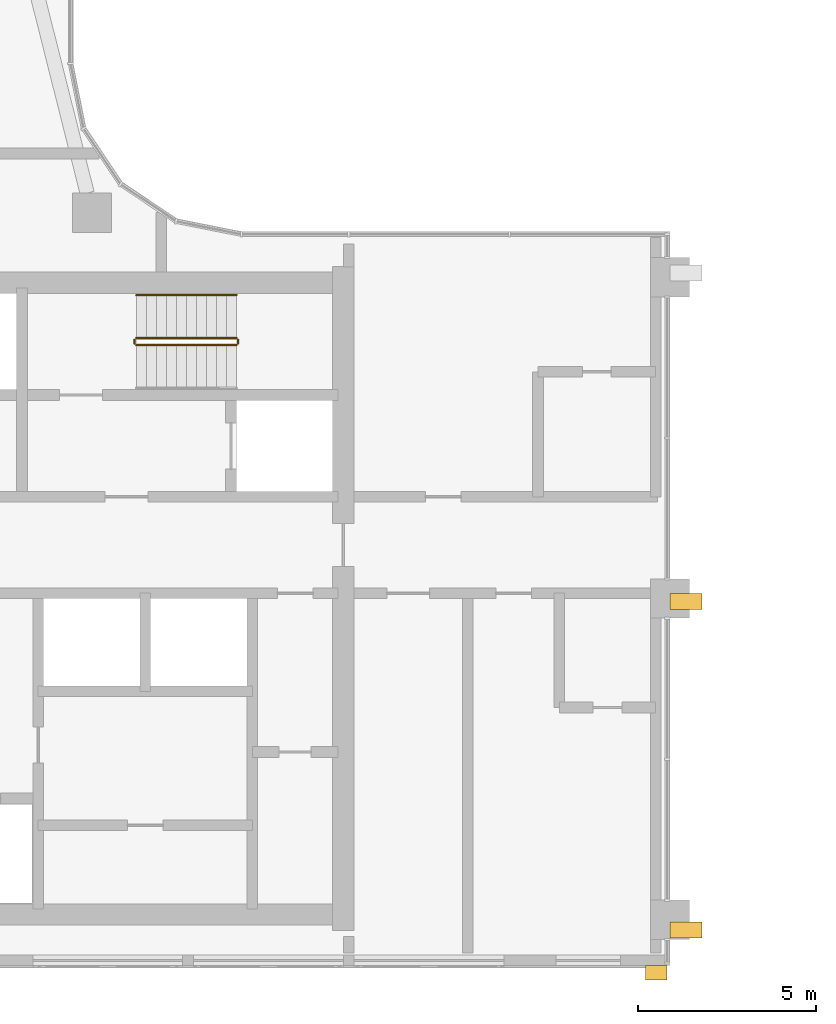
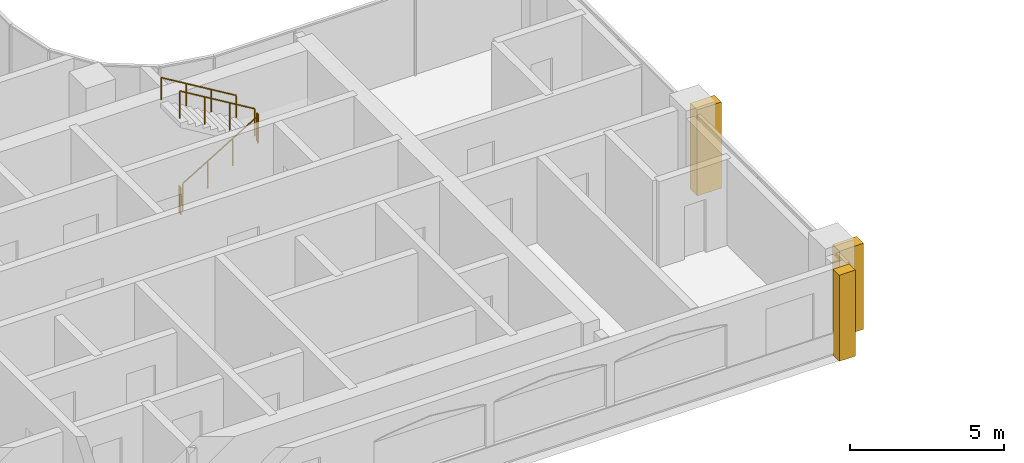
# One storey, part 20 of 23: 5 railings, 3 coverings.
"""IFC4 building model written with IfcOpenShell, lengths in metres."""

import ifcopenshell
import ifcopenshell.guid

model = None  # the IFC model being written
_history = None  # IfcOwnerHistory: only IFC2X3 demands one
_inside = {}  # id of a spatial element -> (the spatial element, [elements in it])
_under = {}  # id of a project, library or spatial element -> (it, [spatial elements below it])
_declared = {}  # id of a project -> (the project, [libraries it declares])
_typed = {}  # id of a type object -> (the type object, [elements of that type])
_made_of = {}  # id of a material, layer set ... -> (it, [elements and type objects made of it])


def new_model(schema):
    """Start an empty IFC model of exactly this schema.

    Asked for "IFC4X3", IfcOpenShell would pick the latest addendum, in which some entities
    have other attributes; the version numbers below select the first issue.
    IFC2X3 requires an IfcOwnerHistory on every rooted entity: one is made here for all.
    """
    global model, _history
    if schema == "IFC4X3":
        model = ifcopenshell.file(schema_version=(4, 3, 0, 0))
    else:
        model = ifcopenshell.file(schema=schema)
    _inside.clear()
    _under.clear()
    _declared.clear()
    _typed.clear()
    _made_of.clear()
    _history = None
    if model.schema == "IFC2X3":
        org = make("IfcOrganization", Name="unknown")
        user = make(
            "IfcPersonAndOrganization",
            ThePerson=make("IfcPerson", FamilyName="unknown"),
            TheOrganization=org,
        )
        app = make(
            "IfcApplication",
            ApplicationDeveloper=org,
            Version="unknown",
            ApplicationFullName="unknown",
            ApplicationIdentifier="unknown",
        )
        _history = make(
            "IfcOwnerHistory",
            OwningUser=user,
            OwningApplication=app,
            ChangeAction="ADDED",
            CreationDate=0,
        )
    return model


def make(cls, **values):
    """One entity of the class cls with the attributes given. An attribute that is None is left unset."""
    return model.create_entity(
        cls, **{name: value for name, value in values.items() if value is not None}
    )


def rooted(cls, **values):
    """An entity with a GlobalId (a new one), such as an element, a storey or a relation."""
    return make(cls, GlobalId=ifcopenshell.guid.new(), OwnerHistory=_history, **values)


def si_unit(unit_type, name, prefix=None):
    """IfcSIUnit, for example si_unit("LENGTHUNIT", "METRE", prefix="MILLI")."""
    return make("IfcSIUnit", UnitType=unit_type, Prefix=prefix, Name=name)


def assignment(units):
    """IfcUnitAssignment: the units of a project."""
    return None if units is None else make("IfcUnitAssignment", Units=units)


def point(xyz):
    """IfcCartesianPoint."""
    return None if xyz is None else make("IfcCartesianPoint", Coordinates=xyz)


def direction(xyz):
    """IfcDirection."""
    return None if xyz is None else make("IfcDirection", DirectionRatios=xyz)


def frame(location, z_axis=None, x_axis=None):
    """IfcAxis2Placement3D, a coordinate frame: its origin and axes. An axis left out is left unset."""
    return make(
        "IfcAxis2Placement3D",
        Location=point(location),
        Axis=direction(z_axis),
        RefDirection=direction(x_axis),
    )


def frame_2d(location, x_axis=None):
    """IfcAxis2Placement2D, a coordinate frame in the plane: its origin and x axis."""
    return make(
        "IfcAxis2Placement2D", Location=point(location), RefDirection=direction(x_axis)
    )


def origin():
    """The frame at (0, 0, 0) with its axes left unset."""
    return frame((0.0, 0.0, 0.0))


def origin_2d():
    """The frame at (0, 0) in the plane with its x axis left unset."""
    return frame_2d((0.0, 0.0))


def place(relative_to, where):
    """IfcLocalPlacement: puts the frame where relative to a parent placement (None: the world)."""
    return make(
        "IfcLocalPlacement", PlacementRelTo=relative_to, RelativePlacement=where
    )


def context(
    kind, dimensions, precision=None, world=None, true_north=None, identifier=None
):
    """IfcGeometricRepresentationContext, for example the 3D "Model" context."""
    return make(
        "IfcGeometricRepresentationContext",
        ContextIdentifier=identifier,
        ContextType=kind,
        CoordinateSpaceDimension=dimensions,
        Precision=precision,
        WorldCoordinateSystem=world,
        TrueNorth=true_north,
    )


def subcontext(parent, identifier, kind, view, scale=None):
    """IfcGeometricRepresentationSubContext, for example "Body" below "Model"."""
    return make(
        "IfcGeometricRepresentationSubContext",
        ContextIdentifier=identifier,
        ContextType=kind,
        ParentContext=parent,
        TargetScale=scale,
        TargetView=view,
    )


def project(units=None, contexts=None):
    """IfcProject with its units and contexts."""
    return rooted(
        "IfcProject",
        Name="project",
        RepresentationContexts=contexts,
        UnitsInContext=assignment(units),
    )


def spatial(cls, under=None, at=None, **own):
    """A site, building, storey or space (cls), placed at a placement, below another one or the project."""
    s = rooted(cls, ObjectPlacement=at, **own)
    if under is not None:
        _under.setdefault(under.id(), (under, []))[1].append(s)
    return s


def profile(cls, at=None, kind="AREA", **sizes):
    """A parametric profile (cls). Its sizes go by their IFC names, for example OverallWidth=200.0."""
    return make(cls, ProfileType=kind, Position=at, **sizes)


def rectangle(**sizes):
    """IfcRectangleProfileDef."""
    return profile("IfcRectangleProfileDef", **sizes)


def circle(**sizes):
    """IfcCircleProfileDef."""
    return profile("IfcCircleProfileDef", **sizes)


def extrude(swept, where, along, depth):
    """IfcExtrudedAreaSolid: the profile swept, set in the frame where, extruded along a direction by depth."""
    return make(
        "IfcExtrudedAreaSolid",
        SweptArea=swept,
        Position=where,
        ExtrudedDirection=direction(along),
        Depth=depth,
    )


def shape(context_of_items, identifier, shape_type, items):
    """IfcShapeRepresentation: the items that make up one representation, for example the "Body"."""
    return make(
        "IfcShapeRepresentation",
        ContextOfItems=context_of_items,
        RepresentationIdentifier=identifier,
        RepresentationType=shape_type,
        Items=items,
    )


def material(Name=None, Category=None):
    """IfcMaterial."""
    return make("IfcMaterial", Name=Name, Category=Category)


def layer(
    of_material, thickness, ventilated=None, Name=None, Category=None, Priority=None
):
    """IfcMaterialLayer: one layer of a wall or slab, of a material (None: an air gap)."""
    return make(
        "IfcMaterialLayer",
        Material=of_material,
        LayerThickness=thickness,
        IsVentilated=ventilated,
        Name=Name,
        Category=Category,
        Priority=Priority,
    )


def layer_set(layers, Name=None):
    """IfcMaterialLayerSet."""
    return make("IfcMaterialLayerSet", MaterialLayers=layers, LayerSetName=Name)


def made_of(thing, what):
    """Note that an element or type object is made of a material, layer set ...; save() writes the relation."""
    if what is not None:
        _made_of.setdefault(what.id(), (what, []))[1].append(thing)
    return thing


def type_object(cls, material=None, **own):
    """A type object (cls), such as IfcWallType, which elements share."""
    return made_of(rooted(cls, **own), material)


def element(
    cls,
    number,
    at=None,
    inside=None,
    cuts=None,
    type_object=None,
    material=None,
    context=None,
    identifier="Body",
    shape_type=None,
    held_by="IfcProductDefinitionShape",
    body=None,
    shapes=None,
    **own,
):
    """One element of the class cls, such as IfcWall. Its Tag is "e" and its number.

    at: its placement. inside: the storey or other place that contains it. cuts: it is an
    opening in that element (IfcRelVoidsElement). A single representation is given by context,
    identifier, shape_type and body (its items); several are given by shapes. held_by: the class
    of the entity that holds the representations. save() writes the other relations.
    """
    e = rooted(cls, Tag="e%d" % number, ObjectPlacement=at, **own)
    if body is not None:
        shapes = [shape(context, identifier, shape_type, body)]
    if shapes is not None:
        e.Representation = make(held_by, Representations=shapes)
    if inside is not None:
        _inside.setdefault(inside.id(), (inside, []))[1].append(e)
    if cuts is not None:
        rooted(
            "IfcRelVoidsElement", RelatingBuildingElement=cuts, RelatedOpeningElement=e
        )
    if type_object is not None:
        _typed.setdefault(type_object.id(), (type_object, []))[1].append(e)
    return made_of(e, material)


def aggregate(whole, parts):
    """IfcRelAggregates: a whole, such as a stair, and the parts it consists of."""
    return rooted("IfcRelAggregates", RelatingObject=whole, RelatedObjects=parts)


def save(model, path):
    """Write the relations noted so far, then the file.

    IfcRelAggregates (storeys below a building ...), IfcRelContainedInSpatialStructure (elements
    in a storey), IfcRelDefinesByType, IfcRelAssociatesMaterial and IfcRelDeclares: one each for
    every whole, place, type object, material and project.
    """
    for whole, parts in _under.values():
        aggregate(whole, parts)
    for where, things in _inside.values():
        rooted(
            "IfcRelContainedInSpatialStructure",
            RelatedElements=things,
            RelatingStructure=where,
        )
    for kind, things in _typed.values():
        rooted("IfcRelDefinesByType", RelatedObjects=things, RelatingType=kind)
    for what, things in _made_of.values():
        rooted("IfcRelAssociatesMaterial", RelatedObjects=things, RelatingMaterial=what)
    for by, libraries in _declared.values():
        rooted("IfcRelDeclares", RelatingContext=by, RelatedDefinitions=libraries)
    model.write(path)


model = new_model("IFC4")

# Units and contexts
model_context = context("Model", 3, precision=1e-05, world=origin(), true_north=direction((0.0, 1.0)))
body_context = subcontext(model_context, "Body", "Model", "MODEL_VIEW")
ifc_project = project(units=[si_unit("LENGTHUNIT", "METRE"), si_unit("AREAUNIT", "SQUARE_METRE"), si_unit("VOLUMEUNIT", "CUBIC_METRE"), si_unit("PLANEANGLEUNIT", "RADIAN"), si_unit("MASSUNIT", "GRAM", prefix="KILO")], contexts=[model_context])

# Site, building, storey
site_placement = place(None, origin())
site = spatial("IfcSite", under=ifc_project, at=site_placement, CompositionType="ELEMENT")
building_placement = place(site_placement, origin())
building = spatial("IfcBuilding", under=site, at=building_placement, Name="Ogive Portal Towers", CompositionType="ELEMENT")
storey_placement = place(building_placement, frame((0.0, 0.0, 164.39990234375)))
storey = spatial("IfcBuildingStorey", under=building, at=storey_placement, Name="L40", CompositionType="ELEMENT", Elevation=164.39990234375)

# Coverings
ifc_material_1 = material(Name="Limestone cladding on lightweight block wall", Category="masonry")
ifc_layer_1 = layer(ifc_material_1, 0.449951171875)
ifc_layer_set_1 = layer_set([ifc_layer_1], Name="BUTTRESS PIER STONE")
covering_type_1 = type_object("IfcCoveringType", Name="BUTTRESS PIER STONE", PredefinedType="CLADDING", material=ifc_layer_set_1)
for number, where, z_axis, x_axis, name in (
    (1, (67.949951171875, 30.419921875, 0.000244140625), (0.0, 0.0, 1.0), (1.0, 0.0, 0.0), "Buttress pier A1-F06.1"),
    (2, (67.949951171875, 21.215087890625, 0.000244140625), (0.0, 0.0, 1.0), (1.0, 0.0, 0.0), "Buttress pier A1-F06.2"),
):
    element("IfcCovering", number, at=place(storey_placement, frame(where, z_axis=z_axis, x_axis=x_axis)), inside=storey, type_object=covering_type_1, Name=name, PredefinedType="CLADDING", context=body_context, shape_type="SweptSolid", body=[
        extrude(rectangle(XDim=0.89990234375, YDim=0.449951171875, at=origin_2d()), origin(), (0.0, 0.0, 1.0), 3.39990234375),
    ])

# Railings
ifc_material_2 = material(Name="Stainless steel balustrade", Category="steel")
railing_type_1 = type_object("IfcRailingType", Name="INT-GUARD", PredefinedType="GUARDRAIL", material=ifc_material_2)
railing_1_placement = place(storey_placement, frame((52.550048828125, 37.60009765625, 0.168212890625)))
element("IfcRailing", 3, at=railing_1_placement, inside=storey, type_object=railing_type_1, Name="L40 ST-A2 stair guard 1", PredefinedType="GUARDRAIL", context=body_context, shape_type="SweptSolid", body=[
    extrude(circle(Radius=0.02392578125, at=origin_2d()), frame((0.0, 0.0, 1.076171875), z_axis=(0.857242210791, 0.0, 0.514913383045), x_axis=(0.0, 1.0, 0.0)), (0.0, 0.0, 1.0), 3.266357421875),
    extrude(circle(Radius=0.02099609375, at=origin_2d()), origin(), (0.0, 0.0, 1.0), 1.052001953125),
    extrude(circle(Radius=0.02099609375, at=origin_2d()), frame((0.933349609375, 0.0, 0.560546875)), (0.0, 0.0, 1.0), 1.052001953125),
    extrude(circle(Radius=0.02099609375, at=origin_2d()), frame((1.86669921875, 0.0, 1.121337890625)), (0.0, 0.0, 1.0), 1.052001953125),
    extrude(circle(Radius=0.02099609375, at=origin_2d()), frame((2.800048828125, 0.0, 1.681884765625)), (0.0, 0.0, 1.0), 1.052001953125),
])
railing_2_placement = place(storey_placement, frame((55.39990234375, 37.64990234375, 1.85009765625)))
element("IfcRailing", 4, at=railing_2_placement, inside=storey, type_object=railing_type_1, Name="L40 ST-A2 stair guard 2", PredefinedType="GUARDRAIL", context=body_context, shape_type="SweptSolid", body=[
    extrude(circle(Radius=0.02392578125, at=origin_2d()), frame((0.0, 0.0, 1.076171875), z_axis=(0.0, 1.0, 0.0), x_axis=(-1.0, 0.0, 0.0)), (0.0, 0.0, 1.0), 0.10009765625),
    extrude(circle(Radius=0.02099609375, at=origin_2d()), origin(), (0.0, 0.0, 1.0), 1.052001953125),
    extrude(circle(Radius=0.02099609375, at=origin_2d()), frame((0.0, 0.10009765625, 0.0)), (0.0, 0.0, 1.0), 1.052001953125),
])
railing_3_placement = place(storey_placement, frame((55.35009765625, 37.800048828125, 2.018310546875)))
element("IfcRailing", 5, at=railing_3_placement, inside=storey, type_object=railing_type_1, Name="L40 ST-A2 stair guard 3", PredefinedType="GUARDRAIL", context=body_context, shape_type="SweptSolid", body=[
    extrude(circle(Radius=0.02392578125, at=origin_2d()), frame((0.0, 0.0, 1.076171875), z_axis=(-0.857242210791, 0.0, 0.514913383045), x_axis=(0.0, -1.0, 0.0)), (0.0, 0.0, 1.0), 3.266357421875),
    extrude(circle(Radius=0.02099609375, at=origin_2d()), origin(), (0.0, 0.0, 1.0), 1.052001953125),
    extrude(circle(Radius=0.02099609375, at=origin_2d()), frame((-0.933349609375, 0.0, 0.560546875)), (0.0, 0.0, 1.0), 1.052001953125),
    extrude(circle(Radius=0.02099609375, at=origin_2d()), frame((-1.86669921875, 0.0, 1.121337890625)), (0.0, 0.0, 1.0), 1.052001953125),
    extrude(circle(Radius=0.02099609375, at=origin_2d()), frame((-2.800048828125, 0.0, 1.681884765625)), (0.0, 0.0, 1.0), 1.052001953125),
])
railing_4_placement = place(storey_placement, frame((52.5, 37.64990234375, 0.0)))
element("IfcRailing", 6, at=railing_4_placement, inside=storey, type_object=railing_type_1, Name="L40 ST-A2 stair guard 4", PredefinedType="GUARDRAIL", context=body_context, shape_type="SweptSolid", body=[
    extrude(circle(Radius=0.02392578125, at=origin_2d()), frame((0.0, 0.0, 1.076171875), z_axis=(0.0, 1.0, 0.0), x_axis=(-1.0, 0.0, 0.0)), (0.0, 0.0, 1.0), 0.10009765625),
    extrude(circle(Radius=0.02099609375, at=origin_2d()), origin(), (0.0, 0.0, 1.0), 1.052001953125),
    extrude(circle(Radius=0.02099609375, at=origin_2d()), frame((0.0, 0.10009765625, 0.0)), (0.0, 0.0, 1.0), 1.052001953125),
])
ifc_material_3 = material(Name="Stainless steel handrail", Category="steel")
railing_type_2 = type_object("IfcRailingType", Name="INT-HANDRAIL", PredefinedType="HANDRAIL", material=ifc_material_3)
railing_5_placement = place(storey_placement, frame((55.35009765625, 39.0, 2.018310546875)))
element("IfcRailing", 7, at=railing_5_placement, inside=storey, type_object=railing_type_2, Name="L40 ST-A2 stair handrail 2", PredefinedType="HANDRAIL", context=body_context, shape_type="SweptSolid", body=[
    extrude(circle(Radius=0.02392578125, at=origin_2d()), frame((0.0, 0.0, 0.8759765625), z_axis=(-0.857242210791, 0.0, 0.514913383045), x_axis=(0.0, -1.0, 0.0)), (0.0, 0.0, 1.0), 3.266357421875),
    extrude(circle(Radius=0.02099609375, at=origin_2d()), origin(), (0.0, 0.0, 1.0), 0.851806640625),
    extrude(circle(Radius=0.02099609375, at=origin_2d()), frame((-0.933349609375, 0.0, 0.560546875)), (0.0, 0.0, 1.0), 0.851806640625),
    extrude(circle(Radius=0.02099609375, at=origin_2d()), frame((-1.86669921875, 0.0, 1.121337890625)), (0.0, 0.0, 1.0), 0.851806640625),
    extrude(circle(Radius=0.02099609375, at=origin_2d()), frame((-2.800048828125, 0.0, 1.681884765625)), (0.0, 0.0, 1.0), 0.851806640625),
])

# Covering
ifc_layer_2 = layer(ifc_material_1, 0.39990234375)
ifc_layer_set_2 = layer_set([ifc_layer_2], Name="PORTAL BUTTRESS STONE")
covering_type_2 = type_object("IfcCoveringType", Name="PORTAL BUTTRESS STONE", PredefinedType="CLADDING", material=ifc_layer_set_2)
covering_placement = place(storey_placement, frame((67.1201171875, 20.014892578125, 0.000244140625), z_axis=(0.0, 0.0, 1.0), x_axis=(1.0, 0.0, 0.0)))
element("IfcCovering", 8, at=covering_placement, inside=storey, type_object=covering_type_2, Name="PORTAL BUTTRESS", PredefinedType="CLADDING", context=body_context, shape_type="SweptSolid", body=[
    extrude(rectangle(XDim=0.60009765625, YDim=0.39990234375, at=origin_2d()), origin(), (0.0, 0.0, 1.0), 3.39990234375),
])

save(model, "model.ifc")
